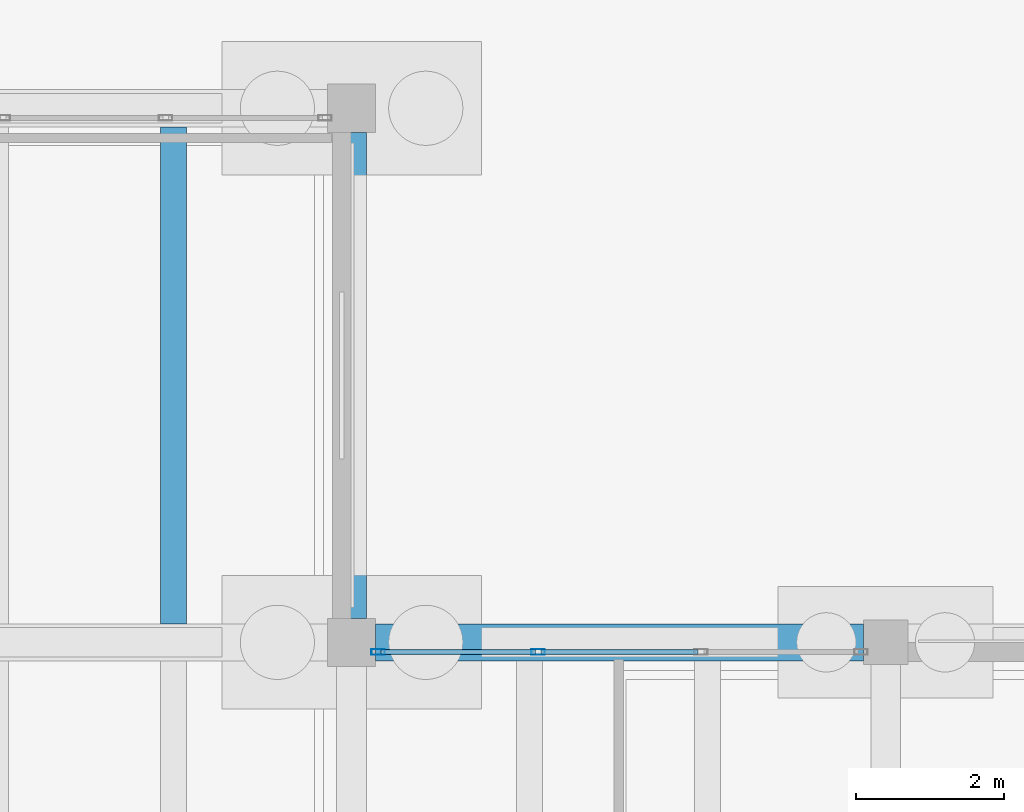
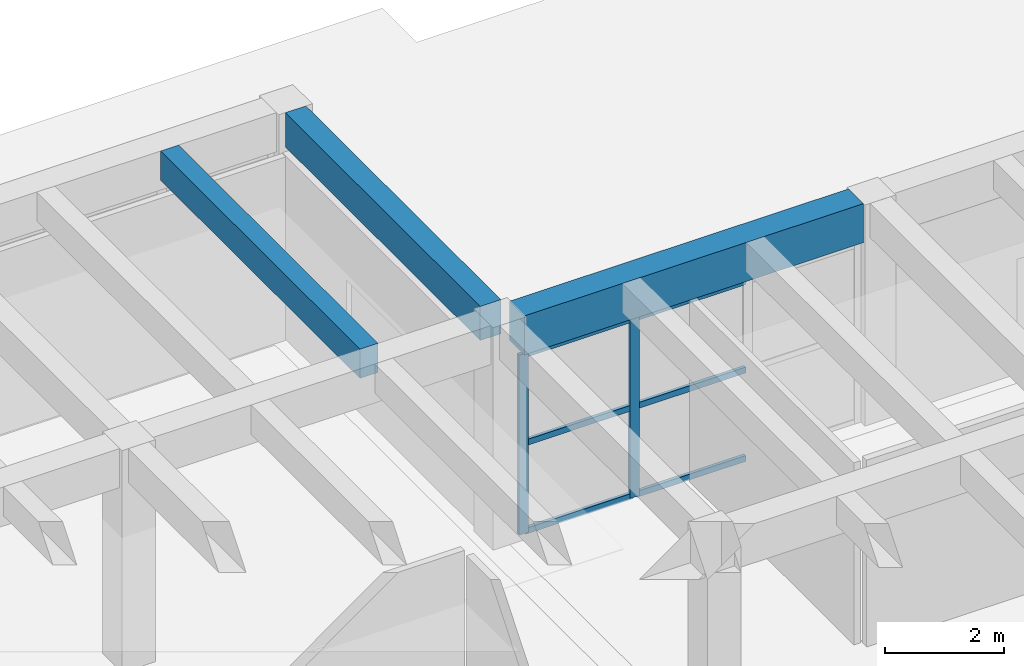
# One storey, part 81 of 155: 8 members, 3 beams, 1 element without a shape of its own.
"""IFC4 building model written with IfcOpenShell, lengths in metres."""

from ifc_helpers import new_model, si_unit, direction, frame, origin, origin_2d, place, context, subcontext, project, spatial, rectangle, hollow_rectangle, extrude, material, material_profile, profile_set, type_object, element, aggregate, save


model = new_model("IFC4")

# Units and contexts
model_context = context("Model", 3, precision=1e-05, world=origin(), true_north=direction((0.0, 1.0)))
body_context = subcontext(model_context, "Body", "Model", "MODEL_VIEW")
ifc_project = project(units=[si_unit("LENGTHUNIT", "METRE"), si_unit("AREAUNIT", "SQUARE_METRE"), si_unit("VOLUMEUNIT", "CUBIC_METRE"), si_unit("PLANEANGLEUNIT", "RADIAN"), si_unit("MASSUNIT", "GRAM", prefix="KILO")], contexts=[model_context])

# Site, building, storey
site_placement = place(None, origin())
site = spatial("IfcSite", under=ifc_project, at=site_placement, CompositionType="ELEMENT")
building_placement = place(site_placement, origin())
building = spatial("IfcBuilding", under=site, at=building_placement, Name="Bramvelor Terrace Health Centre", CompositionType="ELEMENT")
storey_placement = place(building_placement, origin())
storey = spatial("IfcBuildingStorey", under=building, at=storey_placement, Name="L01", CompositionType="ELEMENT", Elevation=0.0)

# Beams
ifc_material_1 = material(Name="Concrete C40/50", Category="concrete")
ifc_material_profile_1 = material_profile(ifc_material_1, rectangle(XDim=0.39990234375, YDim=0.699951171875, at=origin_2d()), Name="RC 400x700")
ifc_profile_set_1 = profile_set([ifc_material_profile_1], Name="Concrete C40/50")
beam_type_1 = type_object("IfcBeamType", Name="BM-RC-G700", PredefinedType="BEAM", material=ifc_profile_set_1)
beam_1_placement = place(storey_placement, frame((43.199951171875, 101.125, 4.2099609375), z_axis=(0.0, 1.0, 0.0), x_axis=(-1.0, 0.0, 0.0)))
element("IfcBeam", 1, at=beam_1_placement, inside=storey, type_object=beam_type_1, Name="L01 Floor Girder", PredefinedType="BEAM", context=body_context, shape_type="SweptSolid", body=[
    extrude(rectangle(XDim=0.39990234375, YDim=0.699951171875, at=origin_2d()), origin(), (0.0, 0.0, 1.0), 6.550048828125),
])
ifc_material_2 = material(Name="Concrete C40/50", Category="concrete")
ifc_material_profile_2 = material_profile(ifc_material_2, rectangle(XDim=0.5, YDim=0.800048828125, at=origin_2d()), Name="RC 500x800")
ifc_profile_set_2 = profile_set([ifc_material_profile_2], Name="Concrete C40/50")
beam_type_2 = type_object("IfcBeamType", Name="BM-RC-G800", PredefinedType="BEAM", material=ifc_profile_set_2)
beam_2_placement = place(storey_placement, frame((43.52490234375, 100.800048828125, 4.1298828125), z_axis=(1.0, 0.0, 0.0), x_axis=(0.0, 1.0, 0.0)))
element("IfcBeam", 2, at=beam_2_placement, inside=storey, type_object=beam_type_2, Name="L01 Floor Girder", PredefinedType="BEAM", context=body_context, shape_type="SweptSolid", body=[
    extrude(rectangle(XDim=0.5, YDim=0.800048828125, at=origin_2d()), origin(), (0.0, 0.0, 1.0), 6.5751953125),
])
ifc_material_3 = material(Name="Concrete C40/50", Category="concrete")
ifc_material_profile_3 = material_profile(ifc_material_3, rectangle(XDim=0.35009765625, YDim=0.60009765625, at=origin_2d()), Name="RC 350x600")
ifc_profile_set_3 = profile_set([ifc_material_profile_3], Name="Concrete C40/50")
beam_type_3 = type_object("IfcBeamType", Name="BM-RC-J600", PredefinedType="JOIST", material=ifc_profile_set_3)
beam_3_placement = place(storey_placement, frame((40.800048828125, 101.050048828125, 4.260009765625), z_axis=(0.0, 1.0, 0.0), x_axis=(-1.0, 0.0, 0.0)))
element("IfcBeam", 3, at=beam_3_placement, inside=storey, type_object=beam_type_3, Name="L01 Secondary Floor Joist", PredefinedType="JOIST", context=body_context, shape_type="SweptSolid", body=[
    extrude(rectangle(XDim=0.35009765625, YDim=0.60009765625, at=origin_2d()), origin(), (0.0, 0.0, 1.0), 6.699951171875),
])

# Curtain wall, members
ifc_material_4 = material(Name="Anodized aluminium and double low-E glass", Category="aluminium")
curtain_wall_type = type_object("IfcCurtainWallType", Name="CW-SYS-02", PredefinedType="NOTDEFINED", material=ifc_material_4)
curtain_wall_placement = place(storey_placement, origin())
curtain_wall = element("IfcCurtainWall", 4, at=curtain_wall_placement, inside=storey, type_object=curtain_wall_type, Name="L01 Unitized Curtain Wall 22", PredefinedType="NOTDEFINED")
ifc_material_5 = material(Name="Anodized aluminium 6063-T6", Category="aluminium")
ifc_material_profile_4 = material_profile(ifc_material_5, hollow_rectangle(XDim=0.074951171875, YDim=0.179931640625, WallThickness=0.00341796875, at=origin_2d()), Name="ALU-MUL 75x180x3.5")
ifc_profile_set_4 = profile_set([ifc_material_profile_4], Name="Anodized aluminium 6063-T6")
member_type_1 = type_object("IfcMemberType", Name="CW-MUL-65x180", PredefinedType="MULLION", material=ifc_profile_set_4)
member_1_placement = place(storey_placement, frame((43.5576171875, 100.669921875, 0.0), z_axis=(0.0, 0.0, 1.0), x_axis=(0.0, 1.0, 0.0)))
member_1 = element("IfcMember", 5, at=member_1_placement, type_object=member_type_1, Name="CW-02 mullion 1", PredefinedType="MULLION", context=body_context, shape_type="SweptSolid", body=[
    extrude(hollow_rectangle(XDim=0.074951171875, YDim=0.179931640625, WallThickness=0.00341796875, at=origin_2d()), origin(), (0.0, 0.0, 1.0), 3.68994140625),
])
member_2_placement = place(storey_placement, frame((45.715087890625, 100.669921875, 0.0), z_axis=(0.0, 0.0, 1.0), x_axis=(0.0, 1.0, 0.0)))
member_2 = element("IfcMember", 6, at=member_2_placement, type_object=member_type_1, Name="CW-02 mullion 2", PredefinedType="MULLION", context=body_context, shape_type="SweptSolid", body=[
    extrude(hollow_rectangle(XDim=0.074951171875, YDim=0.179931640625, WallThickness=0.00341796875, at=origin_2d()), origin(), (0.0, 0.0, 1.0), 3.68994140625),
])
ifc_material_6 = material(Name="Anodized aluminium 6063-T6", Category="aluminium")
ifc_material_profile_5 = material_profile(ifc_material_6, hollow_rectangle(XDim=0.06494140625, YDim=0.1201171875, WallThickness=0.0029296875, at=origin_2d()), Name="ALU-TRN 65x120x3.0")
ifc_profile_set_5 = profile_set([ifc_material_profile_5], Name="Anodized aluminium 6063-T6")
member_type_2 = type_object("IfcMemberType", Name="CW-TRN-65x150", PredefinedType="USERDEFINED", material=ifc_profile_set_5)
member_3_placement = place(storey_placement, frame((43.594970703125, 100.669921875, 0.032470703125), z_axis=(1.0, 0.0, 0.0), x_axis=(0.0, 1.0, 0.0)))
member_3 = element("IfcMember", 7, at=member_3_placement, type_object=member_type_2, Name="CW-02 transom 1.1", ObjectType="TRANSOM", PredefinedType="USERDEFINED", context=body_context, shape_type="SweptSolid", body=[
    extrude(hollow_rectangle(XDim=0.06494140625, YDim=0.1201171875, WallThickness=0.0029296875, at=origin_2d()), origin(), (0.0, 0.0, 1.0), 2.08251953125),
])
member_4_placement = place(storey_placement, frame((43.594970703125, 100.669921875, 1.844970703125), z_axis=(1.0, 0.0, 0.0), x_axis=(0.0, 1.0, 0.0)))
member_4 = element("IfcMember", 8, at=member_4_placement, type_object=member_type_2, Name="CW-02 transom 1.2", ObjectType="TRANSOM", PredefinedType="USERDEFINED", context=body_context, shape_type="SweptSolid", body=[
    extrude(hollow_rectangle(XDim=0.06494140625, YDim=0.1201171875, WallThickness=0.0029296875, at=origin_2d()), origin(), (0.0, 0.0, 1.0), 2.08251953125),
])
member_5_placement = place(storey_placement, frame((43.594970703125, 100.669921875, 3.657470703125), z_axis=(1.0, 0.0, 0.0), x_axis=(0.0, 1.0, 0.0)))
member_5 = element("IfcMember", 9, at=member_5_placement, type_object=member_type_2, Name="CW-02 transom 1.3", ObjectType="TRANSOM", PredefinedType="USERDEFINED", context=body_context, shape_type="SweptSolid", body=[
    extrude(hollow_rectangle(XDim=0.06494140625, YDim=0.1201171875, WallThickness=0.0029296875, at=origin_2d()), origin(), (0.0, 0.0, 1.0), 2.08251953125),
])
member_6_placement = place(storey_placement, frame((45.75244140625, 100.669921875, 0.032470703125), z_axis=(1.0, 0.0, 0.0), x_axis=(0.0, 1.0, 0.0)))
member_6 = element("IfcMember", 10, at=member_6_placement, type_object=member_type_2, Name="CW-02 transom 2.1", ObjectType="TRANSOM", PredefinedType="USERDEFINED", context=body_context, shape_type="SweptSolid", body=[
    extrude(hollow_rectangle(XDim=0.06494140625, YDim=0.1201171875, WallThickness=0.0029296875, at=origin_2d()), origin(), (0.0, 0.0, 1.0), 2.1201171875),
])
member_7_placement = place(storey_placement, frame((45.75244140625, 100.669921875, 1.844970703125), z_axis=(1.0, 0.0, 0.0), x_axis=(0.0, 1.0, 0.0)))
member_7 = element("IfcMember", 11, at=member_7_placement, type_object=member_type_2, Name="CW-02 transom 2.2", ObjectType="TRANSOM", PredefinedType="USERDEFINED", context=body_context, shape_type="SweptSolid", body=[
    extrude(hollow_rectangle(XDim=0.06494140625, YDim=0.1201171875, WallThickness=0.0029296875, at=origin_2d()), origin(), (0.0, 0.0, 1.0), 2.1201171875),
])
member_8_placement = place(storey_placement, frame((45.75244140625, 100.669921875, 3.657470703125), z_axis=(1.0, 0.0, 0.0), x_axis=(0.0, 1.0, 0.0)))
member_8 = element("IfcMember", 12, at=member_8_placement, type_object=member_type_2, Name="CW-02 transom 2.3", ObjectType="TRANSOM", PredefinedType="USERDEFINED", context=body_context, shape_type="SweptSolid", body=[
    extrude(hollow_rectangle(XDim=0.06494140625, YDim=0.1201171875, WallThickness=0.0029296875, at=origin_2d()), origin(), (0.0, 0.0, 1.0), 2.1201171875),
])
aggregate(curtain_wall, [member_1, member_2, member_3, member_4, member_5, member_6, member_7, member_8])

save(model, "model.ifc")
